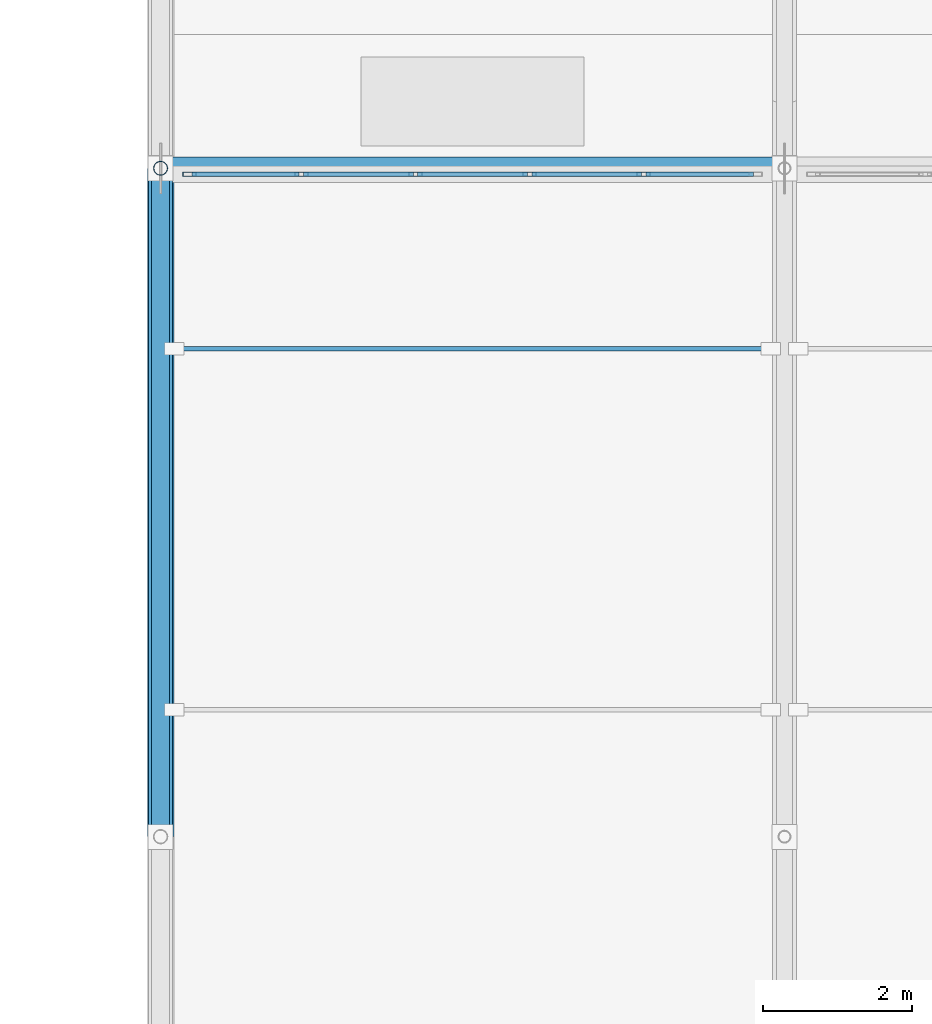
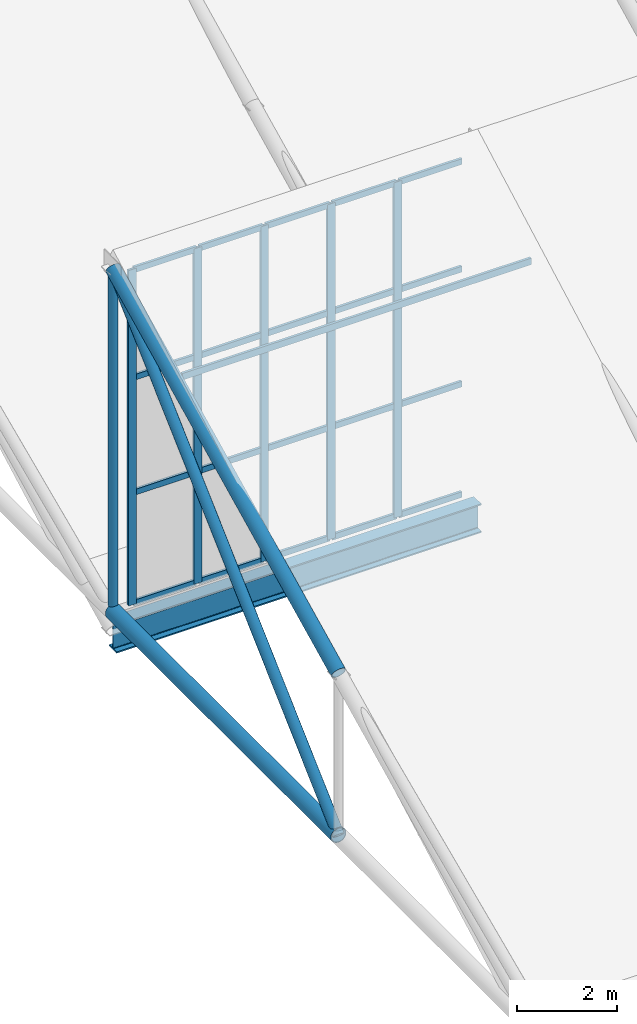
# One storey, part 5 of 38: 30 members, 1 beam, 1 element without a shape of its own.
"""IFC4 building model written with IfcOpenShell, lengths in metres."""

from ifc_helpers import new_model, si_unit, direction, frame, origin, origin_2d, place, context, subcontext, project, spatial, hollow_rectangle, hollow_circle, i_section, extrude, material, material_profile, profile_set, type_object, element, aggregate, save


model = new_model("IFC4")

# Units and contexts
model_context = context("Model", 3, precision=1e-05, world=origin(), true_north=direction((0.0, 1.0)))
body_context = subcontext(model_context, "Body", "Model", "MODEL_VIEW")
ifc_project = project(units=[si_unit("LENGTHUNIT", "METRE"), si_unit("AREAUNIT", "SQUARE_METRE"), si_unit("VOLUMEUNIT", "CUBIC_METRE"), si_unit("PLANEANGLEUNIT", "RADIAN"), si_unit("MASSUNIT", "GRAM", prefix="KILO")], contexts=[model_context])

# Site, building, storey
site_placement = place(None, origin())
site = spatial("IfcSite", under=ifc_project, at=site_placement, CompositionType="ELEMENT")
building_placement = place(site_placement, origin())
building = spatial("IfcBuilding", under=site, at=building_placement, Name="Veltarok Museum of Natural Sciences", CompositionType="ELEMENT")
storey_placement = place(building_placement, frame((0.0, 0.0, 31.199951171875)))
storey = spatial("IfcBuildingStorey", under=building, at=storey_placement, Name="RF", CompositionType="ELEMENT", Elevation=31.199951171875)

# Beam
ifc_material_1 = material(Name="Steel S355J2", Category="steel")
ifc_material_profile_1 = material_profile(ifc_material_1, i_section(OverallWidth=0.300048828125, OverallDepth=0.699951171875, WebThickness=0.01708984375, FlangeThickness=0.031982421875, FilletRadius=0.027099609375, at=origin_2d()), Name="HEB 700")
ifc_profile_set_1 = profile_set([ifc_material_profile_1], Name="Steel S355J2")
beam_type = type_object("IfcBeamType", Name="Long-Span Hall Girder HEB 700", PredefinedType="BEAM", material=ifc_profile_set_1)
beam_placement = place(storey_placement, frame((40.0, 54.0, -6.389892578125), z_axis=(1.0, 0.0, 0.0), x_axis=(0.0, 1.0, 0.0)))
element("IfcBeam", 1, at=beam_placement, inside=storey, type_object=beam_type, Name="Sawtooth Valley Girder 5-6 Y=54.0", PredefinedType="BEAM", context=body_context, shape_type="SweptSolid", body=[
    extrude(i_section(OverallWidth=0.300048828125, OverallDepth=0.699951171875, WebThickness=0.01708984375, FlangeThickness=0.031982421875, FilletRadius=0.027099609375, at=origin_2d()), origin(), (0.0, 0.0, 1.0), 8.39990234375),
])

# Curtain wall, members
ifc_material_2 = material(Name="Low-iron triple insulated glass", Category="glass")
curtain_wall_type = type_object("IfcCurtainWallType", Name="Curtain Wall System CW-SAW-M1-768x817 (Sawtooth North Clerestory M1 768x817cm)", PredefinedType="NOTDEFINED", material=ifc_material_2)
curtain_wall_placement = place(storey_placement, origin())
curtain_wall = element("IfcCurtainWall", 2, at=curtain_wall_placement, inside=storey, type_object=curtain_wall_type, Name="Curtain Wall CW-SAW-M1-768x817 CW-SAW-0072", PredefinedType="NOTDEFINED")
ifc_material_3 = material(Name="Thermally broken anodised aluminium", Category="aluminium")
ifc_material_profile_2 = material_profile(ifc_material_3, hollow_rectangle(XDim=0.06005859375, YDim=0.179931640625, WallThickness=0.006103515625, at=origin_2d()), Name="CW MULLION 60x180x6")
ifc_profile_set_2 = profile_set([ifc_material_profile_2], Name="Thermally broken anodised aluminium")
member_type_1 = type_object("IfcMemberType", Name="Sawtooth Clerestory Mullion 60x180x6", PredefinedType="MULLION", material=ifc_profile_set_2)
member_1_placement = place(storey_placement, frame((46.50390625, 53.919921875, -5.719970703125), z_axis=(0.0, 0.0, 1.0), x_axis=(0.0, -1.0, 0.0)))
member_1 = element("IfcMember", 3, at=member_1_placement, type_object=member_type_1, Name="CW-SAW-M1-768x817 mullion 2", PredefinedType="MULLION", context=body_context, shape_type="SweptSolid", body=[
    extrude(hollow_rectangle(XDim=0.06005859375, YDim=0.179931640625, WallThickness=0.006103515625, at=origin_2d()), origin(), (0.0, 0.0, 1.0), 8.169921875),
])
member_2_placement = place(storey_placement, frame((44.968017578125, 53.919921875, -5.719970703125), z_axis=(0.0, 0.0, 1.0), x_axis=(0.0, -1.0, 0.0)))
member_2 = element("IfcMember", 4, at=member_2_placement, type_object=member_type_1, Name="CW-SAW-M1-768x817 mullion 3", PredefinedType="MULLION", context=body_context, shape_type="SweptSolid", body=[
    extrude(hollow_rectangle(XDim=0.06005859375, YDim=0.179931640625, WallThickness=0.006103515625, at=origin_2d()), origin(), (0.0, 0.0, 1.0), 8.169921875),
])
member_3_placement = place(storey_placement, frame((43.431884765625, 53.919921875, -5.719970703125), z_axis=(0.0, 0.0, 1.0), x_axis=(0.0, -1.0, 0.0)))
member_3 = element("IfcMember", 5, at=member_3_placement, type_object=member_type_1, Name="CW-SAW-M1-768x817 mullion 4", PredefinedType="MULLION", context=body_context, shape_type="SweptSolid", body=[
    extrude(hollow_rectangle(XDim=0.06005859375, YDim=0.179931640625, WallThickness=0.006103515625, at=origin_2d()), origin(), (0.0, 0.0, 1.0), 8.169921875),
])
member_4_placement = place(storey_placement, frame((41.89599609375, 53.919921875, -5.719970703125), z_axis=(0.0, 0.0, 1.0), x_axis=(0.0, -1.0, 0.0)))
member_4 = element("IfcMember", 6, at=member_4_placement, type_object=member_type_1, Name="CW-SAW-M1-768x817 mullion 5", PredefinedType="MULLION", context=body_context, shape_type="SweptSolid", body=[
    extrude(hollow_rectangle(XDim=0.06005859375, YDim=0.179931640625, WallThickness=0.006103515625, at=origin_2d()), origin(), (0.0, 0.0, 1.0), 8.169921875),
])
member_5_placement = place(storey_placement, frame((40.389892578125, 53.919921875, -5.719970703125), z_axis=(0.0, 0.0, 1.0), x_axis=(0.0, -1.0, 0.0)))
member_5 = element("IfcMember", 7, at=member_5_placement, type_object=member_type_1, Name="CW-SAW-M1-768x817 mullion 6", PredefinedType="MULLION", context=body_context, shape_type="SweptSolid", body=[
    extrude(hollow_rectangle(XDim=0.06005859375, YDim=0.179931640625, WallThickness=0.006103515625, at=origin_2d()), origin(), (0.0, 0.0, 1.0), 8.169921875),
])
ifc_material_profile_3 = material_profile(ifc_material_3, hollow_rectangle(XDim=0.06005859375, YDim=0.139892578125, WallThickness=0.0048828125, at=origin_2d()), Name="CW TRANSOM 60x140x5")
ifc_profile_set_3 = profile_set([ifc_material_profile_3], Name="Thermally broken anodised aluminium")
member_type_2 = type_object("IfcMemberType", Name="Sawtooth Clerestory Transom 60x140x5", PredefinedType="USERDEFINED", material=ifc_profile_set_3)
member_6_placement = place(storey_placement, frame((47.97998046875, 53.919921875, -5.68994140625), z_axis=(-1.0, 0.0, 0.0), x_axis=(0.0, -1.0, 0.0)))
member_6 = element("IfcMember", 8, at=member_6_placement, type_object=member_type_2, Name="CW-SAW-M1-768x817 transom 1.1", ObjectType="TRANSOM", PredefinedType="USERDEFINED", context=body_context, shape_type="SweptSolid", body=[
    extrude(hollow_rectangle(XDim=0.06005859375, YDim=0.139892578125, WallThickness=0.0048828125, at=origin_2d()), origin(), (0.0, 0.0, 1.0), 1.446044921875),
])
member_7_placement = place(storey_placement, frame((47.97998046875, 53.919921875, -3.0), z_axis=(-1.0, 0.0, 0.0), x_axis=(0.0, -1.0, 0.0)))
member_7 = element("IfcMember", 9, at=member_7_placement, type_object=member_type_2, Name="CW-SAW-M1-768x817 transom 1.2", ObjectType="TRANSOM", PredefinedType="USERDEFINED", context=body_context, shape_type="SweptSolid", body=[
    extrude(hollow_rectangle(XDim=0.06005859375, YDim=0.139892578125, WallThickness=0.0048828125, at=origin_2d()), origin(), (0.0, 0.0, 1.0), 1.446044921875),
])
member_8_placement = place(storey_placement, frame((47.97998046875, 53.919921875, -0.199951171875), z_axis=(-1.0, 0.0, 0.0), x_axis=(0.0, -1.0, 0.0)))
member_8 = element("IfcMember", 10, at=member_8_placement, type_object=member_type_2, Name="CW-SAW-M1-768x817 transom 1.3", ObjectType="TRANSOM", PredefinedType="USERDEFINED", context=body_context, shape_type="SweptSolid", body=[
    extrude(hollow_rectangle(XDim=0.06005859375, YDim=0.139892578125, WallThickness=0.0048828125, at=origin_2d()), origin(), (0.0, 0.0, 1.0), 1.446044921875),
])
member_9_placement = place(storey_placement, frame((47.97998046875, 53.919921875, 2.420166015625), z_axis=(-1.0, 0.0, 0.0), x_axis=(0.0, -1.0, 0.0)))
member_9 = element("IfcMember", 11, at=member_9_placement, type_object=member_type_2, Name="CW-SAW-M1-768x817 transom 1.4", ObjectType="TRANSOM", PredefinedType="USERDEFINED", context=body_context, shape_type="SweptSolid", body=[
    extrude(hollow_rectangle(XDim=0.06005859375, YDim=0.139892578125, WallThickness=0.0048828125, at=origin_2d()), origin(), (0.0, 0.0, 1.0), 1.446044921875),
])
member_10_placement = place(storey_placement, frame((46.47412109375, 53.919921875, -5.68994140625), z_axis=(-1.0, 0.0, 0.0), x_axis=(0.0, -1.0, 0.0)))
member_10 = element("IfcMember", 12, at=member_10_placement, type_object=member_type_2, Name="CW-SAW-M1-768x817 transom 2.1", ObjectType="TRANSOM", PredefinedType="USERDEFINED", context=body_context, shape_type="SweptSolid", body=[
    extrude(hollow_rectangle(XDim=0.06005859375, YDim=0.139892578125, WallThickness=0.0048828125, at=origin_2d()), origin(), (0.0, 0.0, 1.0), 1.47607421875),
])
member_11_placement = place(storey_placement, frame((46.47412109375, 53.919921875, -3.0), z_axis=(-1.0, 0.0, 0.0), x_axis=(0.0, -1.0, 0.0)))
member_11 = element("IfcMember", 13, at=member_11_placement, type_object=member_type_2, Name="CW-SAW-M1-768x817 transom 2.2", ObjectType="TRANSOM", PredefinedType="USERDEFINED", context=body_context, shape_type="SweptSolid", body=[
    extrude(hollow_rectangle(XDim=0.06005859375, YDim=0.139892578125, WallThickness=0.0048828125, at=origin_2d()), origin(), (0.0, 0.0, 1.0), 1.47607421875),
])
member_12_placement = place(storey_placement, frame((46.47412109375, 53.919921875, -0.199951171875), z_axis=(-1.0, 0.0, 0.0), x_axis=(0.0, -1.0, 0.0)))
member_12 = element("IfcMember", 14, at=member_12_placement, type_object=member_type_2, Name="CW-SAW-M1-768x817 transom 2.3", ObjectType="TRANSOM", PredefinedType="USERDEFINED", context=body_context, shape_type="SweptSolid", body=[
    extrude(hollow_rectangle(XDim=0.06005859375, YDim=0.139892578125, WallThickness=0.0048828125, at=origin_2d()), origin(), (0.0, 0.0, 1.0), 1.47607421875),
])
member_13_placement = place(storey_placement, frame((46.47412109375, 53.919921875, 2.420166015625), z_axis=(-1.0, 0.0, 0.0), x_axis=(0.0, -1.0, 0.0)))
member_13 = element("IfcMember", 15, at=member_13_placement, type_object=member_type_2, Name="CW-SAW-M1-768x817 transom 2.4", ObjectType="TRANSOM", PredefinedType="USERDEFINED", context=body_context, shape_type="SweptSolid", body=[
    extrude(hollow_rectangle(XDim=0.06005859375, YDim=0.139892578125, WallThickness=0.0048828125, at=origin_2d()), origin(), (0.0, 0.0, 1.0), 1.47607421875),
])
member_14_placement = place(storey_placement, frame((44.93798828125, 53.919921875, -5.68994140625), z_axis=(-1.0, 0.0, 0.0), x_axis=(0.0, -1.0, 0.0)))
member_14 = element("IfcMember", 16, at=member_14_placement, type_object=member_type_2, Name="CW-SAW-M1-768x817 transom 3.1", ObjectType="TRANSOM", PredefinedType="USERDEFINED", context=body_context, shape_type="SweptSolid", body=[
    extrude(hollow_rectangle(XDim=0.06005859375, YDim=0.139892578125, WallThickness=0.0048828125, at=origin_2d()), origin(), (0.0, 0.0, 1.0), 1.47607421875),
])
member_15_placement = place(storey_placement, frame((44.93798828125, 53.919921875, -3.0), z_axis=(-1.0, 0.0, 0.0), x_axis=(0.0, -1.0, 0.0)))
member_15 = element("IfcMember", 17, at=member_15_placement, type_object=member_type_2, Name="CW-SAW-M1-768x817 transom 3.2", ObjectType="TRANSOM", PredefinedType="USERDEFINED", context=body_context, shape_type="SweptSolid", body=[
    extrude(hollow_rectangle(XDim=0.06005859375, YDim=0.139892578125, WallThickness=0.0048828125, at=origin_2d()), origin(), (0.0, 0.0, 1.0), 1.47607421875),
])
member_16_placement = place(storey_placement, frame((44.93798828125, 53.919921875, -0.199951171875), z_axis=(-1.0, 0.0, 0.0), x_axis=(0.0, -1.0, 0.0)))
member_16 = element("IfcMember", 18, at=member_16_placement, type_object=member_type_2, Name="CW-SAW-M1-768x817 transom 3.3", ObjectType="TRANSOM", PredefinedType="USERDEFINED", context=body_context, shape_type="SweptSolid", body=[
    extrude(hollow_rectangle(XDim=0.06005859375, YDim=0.139892578125, WallThickness=0.0048828125, at=origin_2d()), origin(), (0.0, 0.0, 1.0), 1.47607421875),
])
member_17_placement = place(storey_placement, frame((44.93798828125, 53.919921875, 2.420166015625), z_axis=(-1.0, 0.0, 0.0), x_axis=(0.0, -1.0, 0.0)))
member_17 = element("IfcMember", 19, at=member_17_placement, type_object=member_type_2, Name="CW-SAW-M1-768x817 transom 3.4", ObjectType="TRANSOM", PredefinedType="USERDEFINED", context=body_context, shape_type="SweptSolid", body=[
    extrude(hollow_rectangle(XDim=0.06005859375, YDim=0.139892578125, WallThickness=0.0048828125, at=origin_2d()), origin(), (0.0, 0.0, 1.0), 1.47607421875),
])
member_18_placement = place(storey_placement, frame((43.402099609375, 53.919921875, -5.68994140625), z_axis=(-1.0, 0.0, 0.0), x_axis=(0.0, -1.0, 0.0)))
member_18 = element("IfcMember", 20, at=member_18_placement, type_object=member_type_2, Name="CW-SAW-M1-768x817 transom 4.1", ObjectType="TRANSOM", PredefinedType="USERDEFINED", context=body_context, shape_type="SweptSolid", body=[
    extrude(hollow_rectangle(XDim=0.06005859375, YDim=0.139892578125, WallThickness=0.0048828125, at=origin_2d()), origin(), (0.0, 0.0, 1.0), 1.47607421875),
])
member_19_placement = place(storey_placement, frame((43.402099609375, 53.919921875, -3.0), z_axis=(-1.0, 0.0, 0.0), x_axis=(0.0, -1.0, 0.0)))
member_19 = element("IfcMember", 21, at=member_19_placement, type_object=member_type_2, Name="CW-SAW-M1-768x817 transom 4.2", ObjectType="TRANSOM", PredefinedType="USERDEFINED", context=body_context, shape_type="SweptSolid", body=[
    extrude(hollow_rectangle(XDim=0.06005859375, YDim=0.139892578125, WallThickness=0.0048828125, at=origin_2d()), origin(), (0.0, 0.0, 1.0), 1.47607421875),
])
member_20_placement = place(storey_placement, frame((43.402099609375, 53.919921875, -0.199951171875), z_axis=(-1.0, 0.0, 0.0), x_axis=(0.0, -1.0, 0.0)))
member_20 = element("IfcMember", 22, at=member_20_placement, type_object=member_type_2, Name="CW-SAW-M1-768x817 transom 4.3", ObjectType="TRANSOM", PredefinedType="USERDEFINED", context=body_context, shape_type="SweptSolid", body=[
    extrude(hollow_rectangle(XDim=0.06005859375, YDim=0.139892578125, WallThickness=0.0048828125, at=origin_2d()), origin(), (0.0, 0.0, 1.0), 1.47607421875),
])
member_21_placement = place(storey_placement, frame((43.402099609375, 53.919921875, 2.420166015625), z_axis=(-1.0, 0.0, 0.0), x_axis=(0.0, -1.0, 0.0)))
member_21 = element("IfcMember", 23, at=member_21_placement, type_object=member_type_2, Name="CW-SAW-M1-768x817 transom 4.4", ObjectType="TRANSOM", PredefinedType="USERDEFINED", context=body_context, shape_type="SweptSolid", body=[
    extrude(hollow_rectangle(XDim=0.06005859375, YDim=0.139892578125, WallThickness=0.0048828125, at=origin_2d()), origin(), (0.0, 0.0, 1.0), 1.47607421875),
])
member_22_placement = place(storey_placement, frame((41.865966796875, 53.919921875, -5.68994140625), z_axis=(-1.0, 0.0, 0.0), x_axis=(0.0, -1.0, 0.0)))
member_22 = element("IfcMember", 24, at=member_22_placement, type_object=member_type_2, Name="CW-SAW-M1-768x817 transom 5.1", ObjectType="TRANSOM", PredefinedType="USERDEFINED", context=body_context, shape_type="SweptSolid", body=[
    extrude(hollow_rectangle(XDim=0.06005859375, YDim=0.139892578125, WallThickness=0.0048828125, at=origin_2d()), origin(), (0.0, 0.0, 1.0), 1.446044921875),
])
member_23_placement = place(storey_placement, frame((41.865966796875, 53.919921875, -3.0), z_axis=(-1.0, 0.0, 0.0), x_axis=(0.0, -1.0, 0.0)))
member_23 = element("IfcMember", 25, at=member_23_placement, type_object=member_type_2, Name="CW-SAW-M1-768x817 transom 5.2", ObjectType="TRANSOM", PredefinedType="USERDEFINED", context=body_context, shape_type="SweptSolid", body=[
    extrude(hollow_rectangle(XDim=0.06005859375, YDim=0.139892578125, WallThickness=0.0048828125, at=origin_2d()), origin(), (0.0, 0.0, 1.0), 1.446044921875),
])
member_24_placement = place(storey_placement, frame((41.865966796875, 53.919921875, -0.199951171875), z_axis=(-1.0, 0.0, 0.0), x_axis=(0.0, -1.0, 0.0)))
member_24 = element("IfcMember", 26, at=member_24_placement, type_object=member_type_2, Name="CW-SAW-M1-768x817 transom 5.3", ObjectType="TRANSOM", PredefinedType="USERDEFINED", context=body_context, shape_type="SweptSolid", body=[
    extrude(hollow_rectangle(XDim=0.06005859375, YDim=0.139892578125, WallThickness=0.0048828125, at=origin_2d()), origin(), (0.0, 0.0, 1.0), 1.446044921875),
])
member_25_placement = place(storey_placement, frame((41.865966796875, 53.919921875, 2.420166015625), z_axis=(-1.0, 0.0, 0.0), x_axis=(0.0, -1.0, 0.0)))
member_25 = element("IfcMember", 27, at=member_25_placement, type_object=member_type_2, Name="CW-SAW-M1-768x817 transom 5.4", ObjectType="TRANSOM", PredefinedType="USERDEFINED", context=body_context, shape_type="SweptSolid", body=[
    extrude(hollow_rectangle(XDim=0.06005859375, YDim=0.139892578125, WallThickness=0.0048828125, at=origin_2d()), origin(), (0.0, 0.0, 1.0), 1.446044921875),
])
aggregate(curtain_wall, [member_1, member_2, member_3, member_4, member_5, member_6, member_7, member_8, member_9, member_10, member_11, member_12, member_13, member_14, member_15, member_16, member_17, member_18, member_19, member_20, member_21, member_22, member_23, member_24, member_25])

# Members
ifc_material_4 = material(Name="Oxide-red painted Steel S355J2", Category="steel")
ifc_material_profile_4 = material_profile(ifc_material_4, hollow_circle(Radius=0.122314453125, WallThickness=0.012451171875, at=origin_2d()), Name="CHS 244.5x12.5")
ifc_profile_set_4 = profile_set([ifc_material_profile_4], Name="Oxide-red painted Steel S355J2")
member_type_3 = type_object("IfcMemberType", Name="Sawtooth End Diagonal CHS 244.5x12.5", PredefinedType="BRACE", material=ifc_profile_set_4)
member_26_placement = place(storey_placement, frame((40.0, 45.0, -5.800048828125), z_axis=(0.0, 0.733079568112, 0.680142887059), x_axis=(-1.0, 0.0, 0.0)))
element("IfcMember", 28, at=member_26_placement, inside=storey, type_object=member_type_3, Name="Roof Truss Diagonal 5 M1", PredefinedType="BRACE", context=body_context, shape_type="SweptSolid", body=[
    extrude(hollow_circle(Radius=0.122314453125, WallThickness=0.012451171875, at=origin_2d()), origin(), (0.0, 0.0, 1.0), 12.27685546875),
])
ifc_material_profile_5 = material_profile(ifc_material_4, hollow_circle(Radius=0.096923828125, WallThickness=0.010009765625, at=origin_2d()), Name="CHS 193.7x10")
ifc_profile_set_5 = profile_set([ifc_material_profile_5], Name="Oxide-red painted Steel S355J2")
member_type_4 = type_object("IfcMemberType", Name="Sawtooth End Strut CHS 193.7x10", PredefinedType="STRUT", material=ifc_profile_set_5)
member_27_placement = place(storey_placement, frame((40.0, 54.0, -5.800048828125), z_axis=(0.0, 0.0, 1.0), x_axis=(1.0, 0.0, 0.0)))
element("IfcMember", 29, at=member_27_placement, inside=storey, type_object=member_type_4, Name="Roof Truss Strut 5 M1", PredefinedType="STRUT", context=body_context, shape_type="SweptSolid", body=[
    extrude(hollow_circle(Radius=0.096923828125, WallThickness=0.010009765625, at=origin_2d()), origin(), (0.0, 0.0, 1.0), 8.35009765625),
])
ifc_material_profile_6 = material_profile(ifc_material_4, hollow_circle(Radius=0.177734375, WallThickness=0.01611328125, at=origin_2d()), Name="CHS 355.6x16")
ifc_profile_set_6 = profile_set([ifc_material_profile_6], Name="Oxide-red painted Steel S355J2")
member_type_5 = type_object("IfcMemberType", Name="Sawtooth Heavy Chord CHS 355.6x16", PredefinedType="CHORD", material=ifc_profile_set_6)
member_28_placement = place(storey_placement, frame((40.0, 45.0, -5.800048828125), z_axis=(0.0, 1.0, 0.0), x_axis=(-1.0, 0.0, 0.0)))
element("IfcMember", 30, at=member_28_placement, inside=storey, type_object=member_type_5, Name="Roof Truss Bottom Chord 5 M1", PredefinedType="CHORD", context=body_context, shape_type="SweptSolid", body=[
    extrude(hollow_circle(Radius=0.177734375, WallThickness=0.01611328125, at=origin_2d()), origin(), (0.0, 0.0, 1.0), 9.0),
])
ifc_material_profile_7 = material_profile(ifc_material_1, hollow_rectangle(XDim=0.06005859375, YDim=0.159912109375, WallThickness=0.0048828125, at=origin_2d()), Name="RHS 160x60x5")
ifc_profile_set_7 = profile_set([ifc_material_profile_7], Name="Steel S355J2")
member_type_6 = type_object("IfcMemberType", Name="Sawtooth Roof Purlin RHS 160x60x5", PredefinedType="PURLIN", material=ifc_profile_set_7)
member_29_placement = place(storey_placement, frame((40.179931640625, 51.570068359375, 1.32958984375), z_axis=(1.0, 0.0, 0.0), x_axis=(0.0, 1.0, 0.0)))
element("IfcMember", 31, at=member_29_placement, inside=storey, type_object=member_type_6, Name="Sawtooth Purlin 5-6 M1", PredefinedType="PURLIN", context=body_context, shape_type="SweptSolid", body=[
    extrude(hollow_rectangle(XDim=0.06005859375, YDim=0.159912109375, WallThickness=0.0048828125, at=origin_2d()), origin(), (0.0, 0.0, 1.0), 8.0400390625),
])
ifc_material_profile_8 = material_profile(ifc_material_4, hollow_circle(Radius=0.161865234375, WallThickness=0.01611328125, at=origin_2d()), Name="CHS 323.9x16")
ifc_profile_set_8 = profile_set([ifc_material_profile_8], Name="Oxide-red painted Steel S355J2")
member_type_7 = type_object("IfcMemberType", Name="Sawtooth Truss Chord CHS 323.9x16", PredefinedType="CHORD", material=ifc_profile_set_8)
member_30_placement = place(storey_placement, frame((40.0, 45.0, -1.849853515625), z_axis=(0.0, 0.898388207299, 0.439202264322), x_axis=(-1.0, 0.0, 0.0)))
element("IfcMember", 32, at=member_30_placement, inside=storey, type_object=member_type_7, Name="Roof Truss Top Chord 5 M1", PredefinedType="CHORD", context=body_context, shape_type="SweptSolid", body=[
    extrude(hollow_circle(Radius=0.161865234375, WallThickness=0.01611328125, at=origin_2d()), origin(), (0.0, 0.0, 1.0), 10.017822265625),
])

save(model, "model.ifc")
